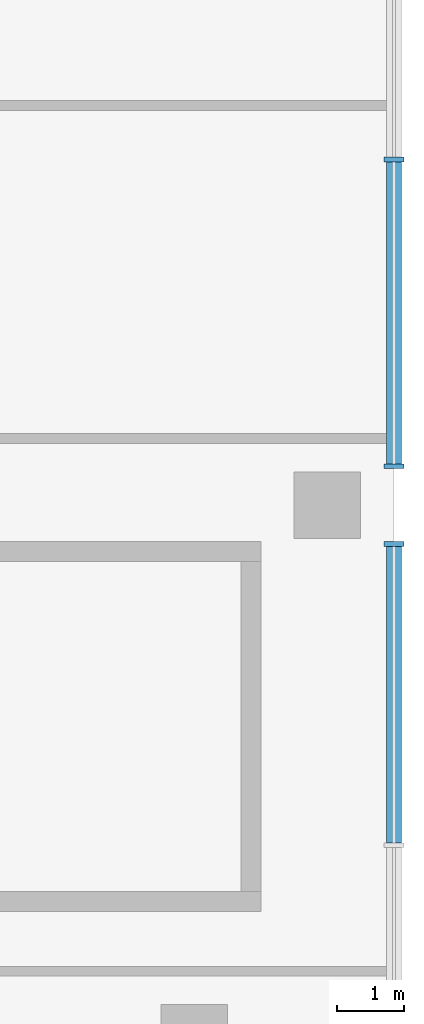
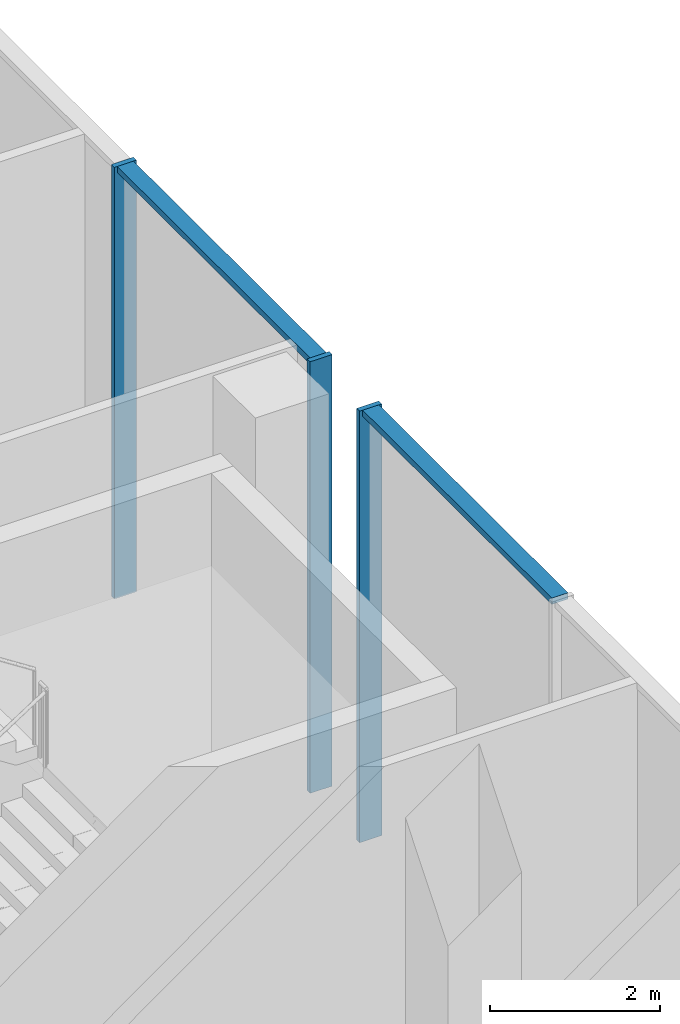
# One storey, part 5 of 30: 5 members, 2 elements without a shape of their own.
"""IFC4 building model written with IfcOpenShell, lengths in metres."""

from ifc_helpers import new_model, si_unit, direction, frame, origin, origin_2d, place, context, subcontext, project, spatial, rectangle, extrude, material, material_profile, profile_set, type_object, element, aggregate, save


model = new_model("IFC4")

# Units and contexts
model_context = context("Model", 3, precision=1e-05, world=origin(), true_north=direction((0.0, 1.0)))
body_context = subcontext(model_context, "Body", "Model", "MODEL_VIEW")
ifc_project = project(units=[si_unit("LENGTHUNIT", "METRE"), si_unit("AREAUNIT", "SQUARE_METRE"), si_unit("VOLUMEUNIT", "CUBIC_METRE"), si_unit("PLANEANGLEUNIT", "RADIAN"), si_unit("MASSUNIT", "GRAM", prefix="KILO")], contexts=[model_context])

# Site, building, storey
site_placement = place(None, origin())
site = spatial("IfcSite", under=ifc_project, at=site_placement, CompositionType="ELEMENT")
building_placement = place(site_placement, origin())
building = spatial("IfcBuilding", under=site, at=building_placement, Name="Wharfspan Tower", CompositionType="ELEMENT")
storey_placement = place(building_placement, frame((0.0, 0.0, 15.0)))
storey = spatial("IfcBuildingStorey", under=building, at=storey_placement, Name="L02", CompositionType="ELEMENT", Elevation=15.0)

# Curtain wall, member
ifc_material = material(Name="Aluminium 6063-T6", Category="aluminium")
curtain_wall_type = type_object("IfcCurtainWallType", Name="CURTAIN WALL ARENA STICK WALL", PredefinedType="NOTDEFINED", material=ifc_material)
curtain_wall_1_placement = place(storey_placement, origin())
curtain_wall_1 = element("IfcCurtainWall", 1, at=curtain_wall_1_placement, inside=storey, type_object=curtain_wall_type, Name="Concourse stick wall PF3.2", PredefinedType="NOTDEFINED")
ifc_material_profile_1 = material_profile(ifc_material, rectangle(XDim=0.300049, YDim=0.070068, at=origin_2d()))
ifc_profile_set_1 = profile_set([ifc_material_profile_1], Name="Aluminium 6063-T6")
member_type_1 = type_object("IfcMemberType", Name="MULLION ARENA STICK WALL 70x300", PredefinedType="MULLION", material=ifc_profile_set_1)
member_1_placement = place(storey_placement, frame((108.0, 25.415039, 0.0), z_axis=(0.0, 0.0, 1.0), x_axis=(-1.0, 0.0, 0.0)))
member_1 = element("IfcMember", 2, at=member_1_placement, type_object=member_type_1, Name="Concourse stick wall PF3.2 mullion 8", PredefinedType="MULLION", context=body_context, shape_type="SweptSolid", body=[
    extrude(rectangle(XDim=0.300049, YDim=0.070068, at=origin_2d()), origin(), (0.0, 0.0, 1.0), 6.199951),
])

# Curtain wall, members
curtain_wall_2_placement = place(storey_placement, origin())
curtain_wall_2 = element("IfcCurtainWall", 3, at=curtain_wall_2_placement, inside=storey, type_object=curtain_wall_type, Name="Concourse stick wall PF3.3", PredefinedType="NOTDEFINED")
member_2_placement = place(storey_placement, frame((108.0, 26.584961, 0.0), z_axis=(0.0, 0.0, 1.0), x_axis=(-1.0, 0.0, 0.0)))
member_2 = element("IfcMember", 4, at=member_2_placement, type_object=member_type_1, Name="Concourse stick wall PF3.3 mullion 1", PredefinedType="MULLION", context=body_context, shape_type="SweptSolid", body=[
    extrude(rectangle(XDim=0.300049, YDim=0.070068, at=origin_2d()), origin(), (0.0, 0.0, 1.0), 6.199951),
])
member_3_placement = place(storey_placement, frame((108.0, 31.189941, 0.0), z_axis=(0.0, 0.0, 1.0), x_axis=(-1.0, 0.0, 0.0)))
member_3 = element("IfcMember", 5, at=member_3_placement, type_object=member_type_1, Name="Concourse stick wall PF3.3 mullion 2", PredefinedType="MULLION", context=body_context, shape_type="SweptSolid", body=[
    extrude(rectangle(XDim=0.300049, YDim=0.070068, at=origin_2d()), origin(), (0.0, 0.0, 1.0), 6.199951),
])

# Member
ifc_material_profile_2 = material_profile(ifc_material, rectangle(XDim=0.219971, YDim=0.090088, at=origin_2d()))
ifc_profile_set_2 = profile_set([ifc_material_profile_2], Name="Aluminium 6063-T6")
member_type_2 = type_object("IfcMemberType", Name="TRANSOM ARENA STICK WALL 90x220", PredefinedType="USERDEFINED", material=ifc_profile_set_2)
member_4_placement = place(storey_placement, frame((108.0, 20.927979, 6.155029), z_axis=(0.0, 1.0, 0.0), x_axis=(-1.0, 0.0, 0.0)))
member_4 = element("IfcMember", 6, at=member_4_placement, type_object=member_type_2, Name="Concourse stick wall PF3.2 transom 7", ObjectType="TRANSOM", PredefinedType="USERDEFINED", context=body_context, shape_type="SweptSolid", body=[
    extrude(rectangle(XDim=0.219971, YDim=0.090088, at=origin_2d()), origin(), (0.0, 0.0, 1.0), 4.451904),
])

aggregate(curtain_wall_1, [member_1, member_4])

member_5_placement = place(storey_placement, frame((108.0, 26.620117, 6.155029), z_axis=(0.0, 1.0, 0.0), x_axis=(-1.0, 0.0, 0.0)))
member_5 = element("IfcMember", 7, at=member_5_placement, type_object=member_type_2, Name="Concourse stick wall PF3.3 transom 1", ObjectType="TRANSOM", PredefinedType="USERDEFINED", context=body_context, shape_type="SweptSolid", body=[
    extrude(rectangle(XDim=0.219971, YDim=0.090088, at=origin_2d()), origin(), (0.0, 0.0, 1.0), 4.534912),
])

aggregate(curtain_wall_2, [member_2, member_3, member_5])

save(model, "model.ifc")
